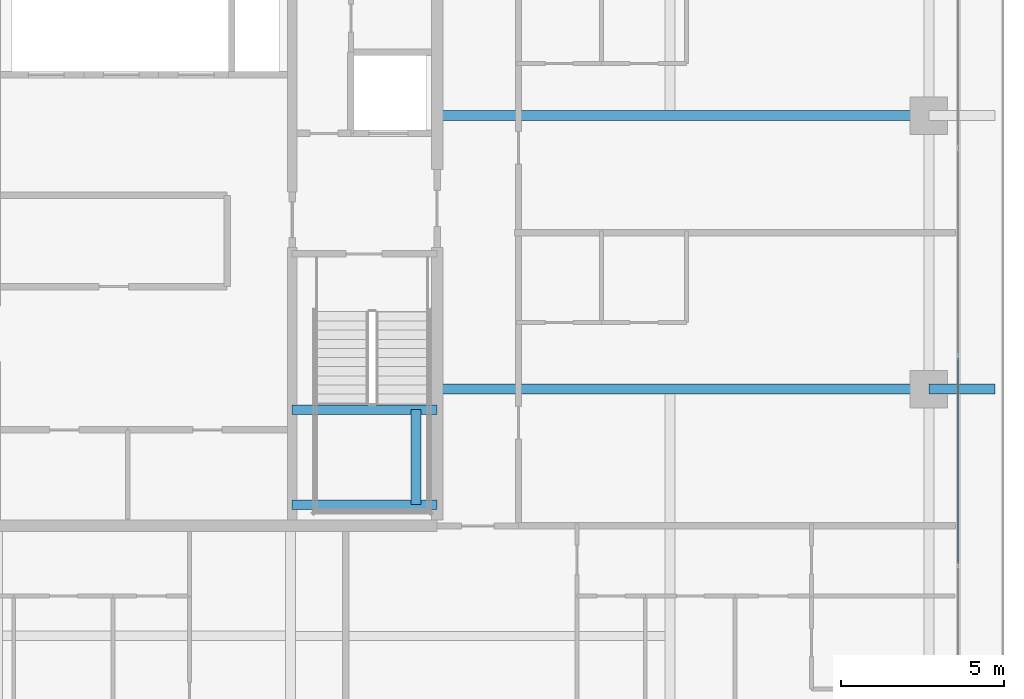
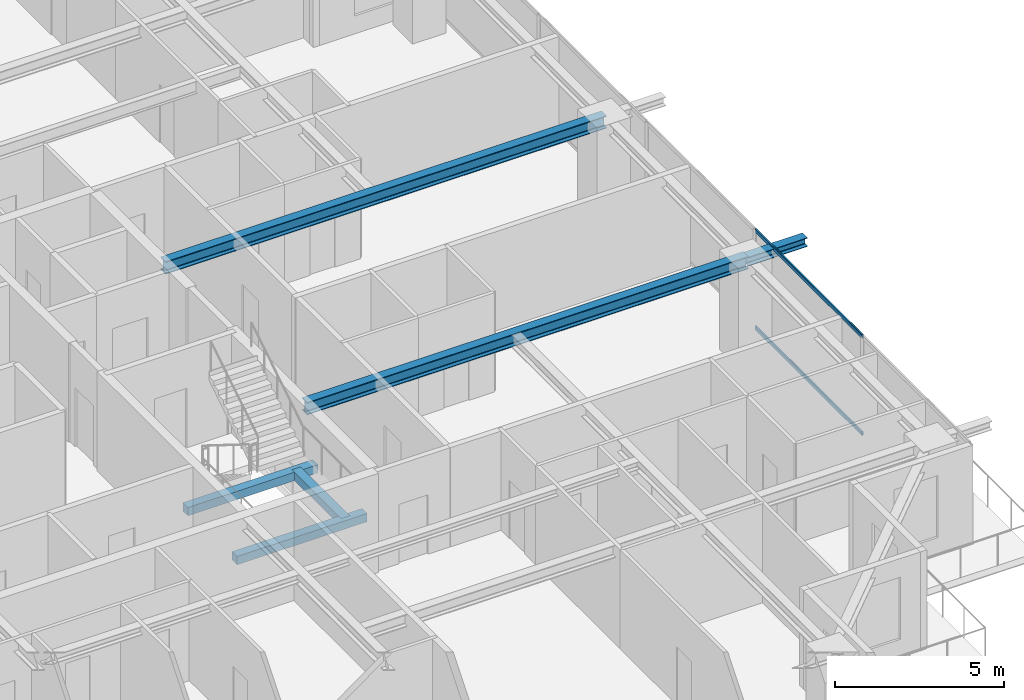
# One storey, part 15 of 38: 6 beams, 2 members, 1 element without a shape of its own.
"""IFC4 building model written with IfcOpenShell, lengths in metres."""

from ifc_helpers import new_model, si_unit, direction, frame, origin, origin_2d, place, context, subcontext, project, spatial, rectangle, hollow_rectangle, i_section, extrude, source, transform, mapped, material, layer, layer_set, material_profile, profile_set, type_object, element, aggregate, save


model = new_model("IFC4")

# Units and contexts
model_context = context("Model", 3, precision=1e-05, world=origin(), true_north=direction((0.0, 1.0)))
body_context = subcontext(model_context, "Body", "Model", "MODEL_VIEW")
ifc_project = project(units=[si_unit("LENGTHUNIT", "METRE"), si_unit("AREAUNIT", "SQUARE_METRE"), si_unit("VOLUMEUNIT", "CUBIC_METRE"), si_unit("PLANEANGLEUNIT", "RADIAN"), si_unit("MASSUNIT", "GRAM", prefix="KILO")], contexts=[model_context])

# Site, building, storey
site_placement = place(None, origin())
site = spatial("IfcSite", under=ifc_project, at=site_placement, CompositionType="ELEMENT")
building_placement = place(site_placement, origin())
building = spatial("IfcBuilding", under=site, at=building_placement, Name="Serunith Strait Residences", CompositionType="ELEMENT")
storey_placement = place(building_placement, frame((0.0, 0.0, 268.199951171875)))
storey = spatial("IfcBuildingStorey", under=building, at=storey_placement, Name="L67", CompositionType="ELEMENT", Elevation=268.199951171875)

# Beams
ifc_material_1 = material(Name="Steel S355J2", Category="steel")
ifc_material_profile_1 = material_profile(ifc_material_1, i_section(OverallWidth=0.300048828125, OverallDepth=0.449951171875, WebThickness=0.013916015625, FlangeThickness=0.02587890625, FilletRadius=0.027099609375, at=origin_2d()), Name="HEB 450")
ifc_profile_set_1 = profile_set([ifc_material_profile_1], Name="Steel S355J2")
beam_type_1 = type_object("IfcBeamType", Name="BM-HEB450", PredefinedType="BEAM", material=ifc_profile_set_1)
shared_shape_1 = source(origin(), body_context, "Body", "SweptSolid", [
    extrude(i_section(OverallWidth=0.300048828125, OverallDepth=0.449951171875, WebThickness=0.013916015625, FlangeThickness=0.02587890625, FilletRadius=0.027099609375, at=origin_2d()), origin(), (0.0, 0.0, 1.0), 15.10009765625),
])
for number, where, z_axis, x_axis, name in (
    (1, (41.39990234375, 21.0, 3.362060546875), (1.0, 0.0, 0.0), (0.0, 1.0, 0.0), "L67 Primary Floor Girder TC-E2"),
    (2, (41.39990234375, 29.39990234375, 3.362060546875), (1.0, 0.0, 0.0), (0.0, 1.0, 0.0), "L67 Primary Floor Girder TC-E3"),
):
    element("IfcBeam", number, at=place(storey_placement, frame(where, z_axis=z_axis, x_axis=x_axis)), inside=storey, type_object=beam_type_1, Name=name, PredefinedType="BEAM", context=body_context, shape_type="MappedRepresentation", body=[
        mapped(shared_shape_1, transform((0.0, 0.0, 0.0), scale=1.0)),
    ])
ifc_material_profile_2 = material_profile(ifc_material_1, i_section(OverallWidth=0.300048828125, OverallDepth=0.320068359375, WebThickness=0.011474609375, FlangeThickness=0.0205078125, FilletRadius=0.027099609375, at=origin_2d()), Name="HEB 320")
ifc_profile_set_2 = profile_set([ifc_material_profile_2], Name="Steel S355J2")
beam_type_2 = type_object("IfcBeamType", Name="BM-HEB320", PredefinedType="BEAM", material=ifc_profile_set_2)
shared_shape_2 = source(origin(), body_context, "Body", "SweptSolid", [
    extrude(i_section(OverallWidth=0.300048828125, OverallDepth=0.320068359375, WebThickness=0.011474609375, FlangeThickness=0.0205078125, FilletRadius=0.027099609375, at=origin_2d()), origin(), (0.0, 0.0, 1.0), 2.030029296875),
])
beam_1_placement = place(storey_placement, frame((56.5, 21.0, 3.39697265625), z_axis=(1.0, 0.0, 0.0), x_axis=(0.0, 1.0, 0.0)))
element("IfcBeam", 3, at=beam_1_placement, inside=storey, type_object=beam_type_2, Name="L68 Cantilevered Balcony Rib TC-E2", PredefinedType="BEAM", context=body_context, shape_type="MappedRepresentation", body=[
    mapped(shared_shape_2, transform((0.0, 0.0, 0.0), scale=1.0)),
])
ifc_material_2 = material(Name="Concrete C60/75", Category="concrete")
ifc_material_profile_3 = material_profile(ifc_material_2, rectangle(XDim=0.300048828125, YDim=0.300048828125, at=origin_2d()), Name="RC 300x300")
ifc_profile_set_3 = profile_set([ifc_material_profile_3], Name="Concrete C60/75")
beam_type_3 = type_object("IfcBeamType", Name="BM-LAND-300x300", PredefinedType="BEAM", material=ifc_profile_set_3)
shared_shape_3 = source(origin(), body_context, "Body", "SweptSolid", [
    extrude(rectangle(XDim=0.300048828125, YDim=0.300048828125, at=origin_2d()), origin(), (0.0, 0.0, 1.0), 4.449951171875),
])
for number, where, z_axis, x_axis, name in (
    (4, (36.949951171875, 17.449951171875, 1.574951171875), (1.0, 0.0, 0.0), (0.0, 1.0, 0.0), "L67 ST-2 Landing Support Beam 1"),
    (5, (36.949951171875, 20.3701171875, 1.574951171875), (1.0, 0.0, 0.0), (0.0, 1.0, 0.0), "L67 ST-2 Landing Support Beam 2"),
):
    element("IfcBeam", number, at=place(storey_placement, frame(where, z_axis=z_axis, x_axis=x_axis)), inside=storey, type_object=beam_type_3, Name=name, PredefinedType="BEAM", context=body_context, shape_type="MappedRepresentation", body=[
        mapped(shared_shape_3, transform((0.0, 0.0, 0.0), scale=1.0)),
    ])
shared_shape_4 = source(origin(), body_context, "Body", "SweptSolid", [
    extrude(rectangle(XDim=0.300048828125, YDim=0.300048828125, at=origin_2d()), origin(), (0.0, 0.0, 1.0), 2.920166015625),
])
beam_2_placement = place(storey_placement, frame((40.75, 17.449951171875, 1.574951171875), z_axis=(0.0, 1.0, 0.0), x_axis=(-1.0, 0.0, 0.0)))
element("IfcBeam", 6, at=beam_2_placement, inside=storey, type_object=beam_type_3, Name="L67 ST-2 Landing Transverse Tie Beam", PredefinedType="BEAM", context=body_context, shape_type="MappedRepresentation", body=[
    mapped(shared_shape_4, transform((0.0, 0.0, 0.0), scale=1.0)),
])

# Curtain wall, members
ifc_material_3 = material(Name="Pale-Champagne Anodised Aluminium", Category="aluminium")
ifc_layer = layer(ifc_material_3, 0.199951171875, Name="Pale-Champagne Anodised Aluminium")
ifc_layer_set = layer_set([ifc_layer], Name="Pale-Champagne Anodised Aluminium")
curtain_wall_type = type_object("IfcCurtainWallType", Name="CW-SYS4", PredefinedType="NOTDEFINED", material=ifc_layer_set)
curtain_wall_placement = place(storey_placement, origin())
curtain_wall = element("IfcCurtainWall", 7, at=curtain_wall_placement, inside=storey, type_object=curtain_wall_type, Name="L67 E Unitised Fritted Curtain Wall", PredefinedType="NOTDEFINED")
ifc_material_profile_4 = material_profile(ifc_material_3, hollow_rectangle(XDim=0.06005859375, YDim=0.139892578125, WallThickness=0.00341796875, InnerFilletRadius=0.00537109375, OuterFilletRadius=0.0087890625, at=origin_2d()), Name="ALU 140x60x3.5")
ifc_profile_set_4 = profile_set([ifc_material_profile_4], Name="Pale-Champagne Anodised Aluminium")
member_type = type_object("IfcMemberType", Name="CW-SYS4-TRAN", PredefinedType="USERDEFINED", material=ifc_profile_set_4)
shared_shape_5 = source(origin(), body_context, "Body", "SweptSolid", [
    extrude(hollow_rectangle(XDim=0.06005859375, YDim=0.139892578125, WallThickness=0.00341796875, InnerFilletRadius=0.00537109375, OuterFilletRadius=0.0087890625, at=origin_2d()), origin(), (0.0, 0.0, 1.0), 6.3349609375),
])
member_1_placement = place(storey_placement, frame((57.39990234375, 15.632568359375, 0.030029296875), z_axis=(0.0, 1.0, 0.0), x_axis=(-1.0, 0.0, 0.0)))
member_1 = element("IfcMember", 8, at=member_1_placement, type_object=member_type, Name="CW-4 transom 2.1", ObjectType="TRANSOM", PredefinedType="USERDEFINED", context=body_context, shape_type="MappedRepresentation", body=[
    mapped(shared_shape_5, transform((0.0, 0.0, 0.0), scale=1.0)),
])
member_2_placement = place(storey_placement, frame((57.39990234375, 15.632568359375, 3.545166015625), z_axis=(0.0, 1.0, 0.0), x_axis=(-1.0, 0.0, 0.0)))
member_2 = element("IfcMember", 9, at=member_2_placement, type_object=member_type, Name="CW-4 transom 2.2", ObjectType="TRANSOM", PredefinedType="USERDEFINED", context=body_context, shape_type="MappedRepresentation", body=[
    mapped(shared_shape_5, transform((0.0, 0.0, 0.0), scale=1.0)),
])
aggregate(curtain_wall, [member_1, member_2])

save(model, "model.ifc")
